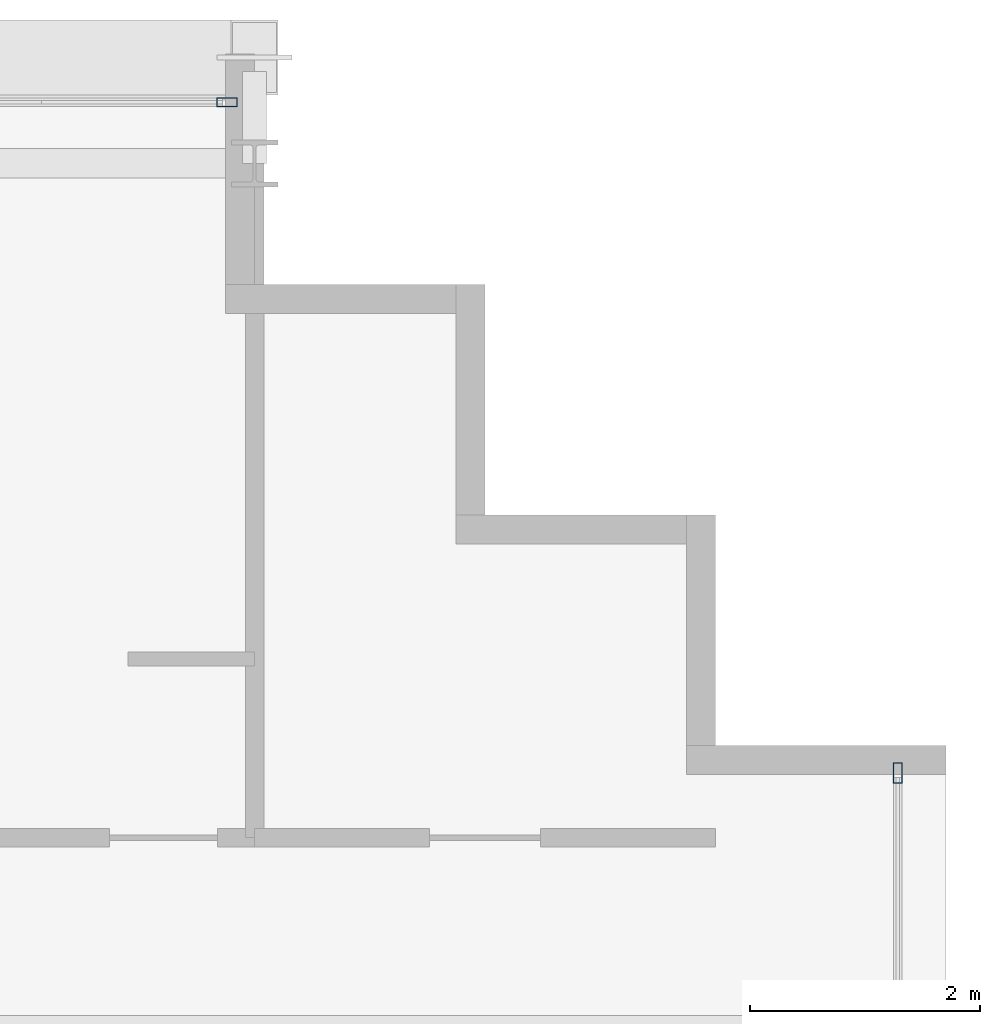
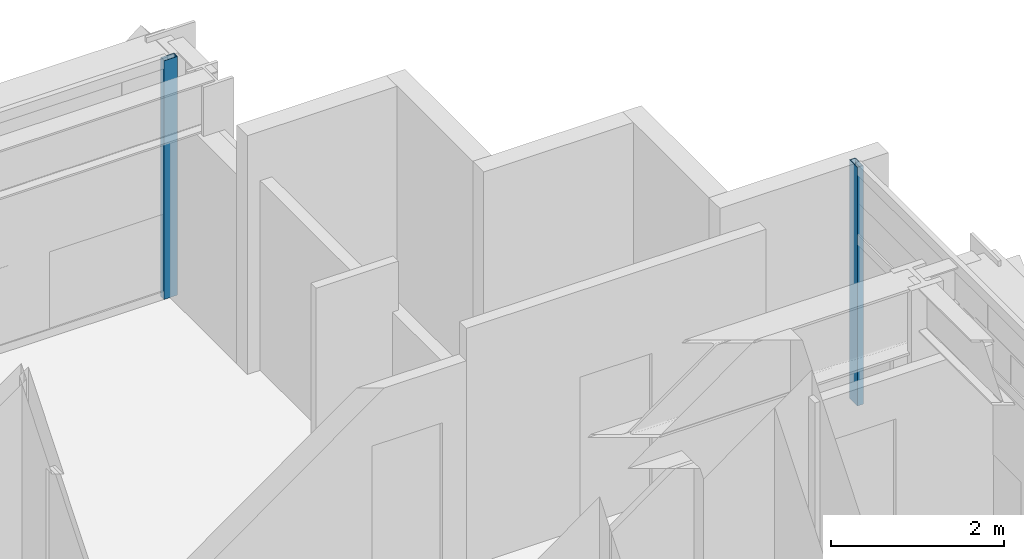
# One storey, part 19 of 32: 2 members, 2 elements without a shape of their own.
"""IFC4 building model written with IfcOpenShell, lengths in metres."""

from ifc_helpers import new_model, si_unit, direction, frame, origin, origin_2d, place, context, subcontext, project, spatial, hollow_rectangle, extrude, source, transform, mapped, material, layer, layer_set, material_profile, profile_set, type_object, element, aggregate, save


model = new_model("IFC4")

# Units and contexts
model_context = context("Model", 3, precision=1e-05, world=origin(), true_north=direction((0.0, 1.0)))
body_context = subcontext(model_context, "Body", "Model", "MODEL_VIEW")
ifc_project = project(units=[si_unit("LENGTHUNIT", "METRE"), si_unit("AREAUNIT", "SQUARE_METRE"), si_unit("VOLUMEUNIT", "CUBIC_METRE"), si_unit("PLANEANGLEUNIT", "RADIAN"), si_unit("MASSUNIT", "GRAM", prefix="KILO")], contexts=[model_context])

# Site, building, storey
site_placement = place(None, origin())
site = spatial("IfcSite", under=ifc_project, at=site_placement, CompositionType="ELEMENT")
building_placement = place(site_placement, origin())
building = spatial("IfcBuilding", under=site, at=building_placement, Name="Ocotamira Hotel", CompositionType="ELEMENT")
storey_placement = place(building_placement, frame((0.0, 0.0, 206.39990234375)))
storey = spatial("IfcBuildingStorey", under=building, at=storey_placement, Name="L52", CompositionType="ELEMENT", Elevation=206.39990234375)

# Curtain wall, member
ifc_material_1 = material(Name="Anodised pale-metal aluminium and solar glass", Category="aluminium")
ifc_layer = layer(ifc_material_1, 0.199951171875)
ifc_layer_set = layer_set([ifc_layer], Name="Anodised pale-metal aluminium and solar glass")
curtain_wall_type = type_object("IfcCurtainWallType", Name="CW-SYS4-Z3", PredefinedType="NOTDEFINED", material=ifc_layer_set)
curtain_wall_1_placement = place(storey_placement, origin())
curtain_wall_1 = element("IfcCurtainWall", 1, at=curtain_wall_1_placement, inside=storey, type_object=curtain_wall_type, Name="L52 Curtain Wall CW-4 CW-L52-N", PredefinedType="NOTDEFINED")
ifc_material_2 = material(Name="Anodised pale-metal aluminium 6063-T6", Category="aluminium")
ifc_material_profile = material_profile(ifc_material_2, hollow_rectangle(XDim=0.080078125, YDim=0.179931640625, WallThickness=0.006103515625, at=origin_2d()), Name="HSS180X80X6")
ifc_profile_set = profile_set([ifc_material_profile], Name="Anodised pale-metal aluminium 6063-T6")
member_type = type_object("IfcMemberType", Name="CWM-180X75", PredefinedType="MULLION", material=ifc_profile_set)
shared_shape = source(origin(), body_context, "Body", "SweptSolid", [
    extrude(hollow_rectangle(XDim=0.080078125, YDim=0.179931640625, WallThickness=0.006103515625, at=origin_2d()), origin(), (0.0, 0.0, 1.0), 3.3701171875),
])
member_1_placement = place(storey_placement, frame((49.760009765625, 45.580078125, 0.0), z_axis=(0.0, 0.0, 1.0), x_axis=(0.0, 1.0, 0.0)))
member_1 = element("IfcMember", 2, at=member_1_placement, type_object=member_type, Name="CW-4 mullion 10", PredefinedType="MULLION", context=body_context, shape_type="MappedRepresentation", body=[
    mapped(shared_shape, transform((0.0, 0.0, 0.0), scale=1.0)),
])
aggregate(curtain_wall_1, [member_1])

curtain_wall_2_placement = place(storey_placement, origin())
curtain_wall_2 = element("IfcCurtainWall", 3, at=curtain_wall_2_placement, inside=storey, type_object=curtain_wall_type, Name="L52 Curtain Wall CW-4 CW-L52-E", PredefinedType="NOTDEFINED")
member_2_placement = place(storey_placement, frame((55.580078125, 39.760009765625, 0.0), z_axis=(0.0, 0.0, 1.0), x_axis=(-1.0, 0.0, 0.0)))
member_2 = element("IfcMember", 4, at=member_2_placement, type_object=member_type, Name="CW-4 mullion 6", PredefinedType="MULLION", context=body_context, shape_type="MappedRepresentation", body=[
    mapped(shared_shape, transform((0.0, 0.0, 0.0), scale=1.0)),
])
aggregate(curtain_wall_2, [member_2])

save(model, "model.ifc")
